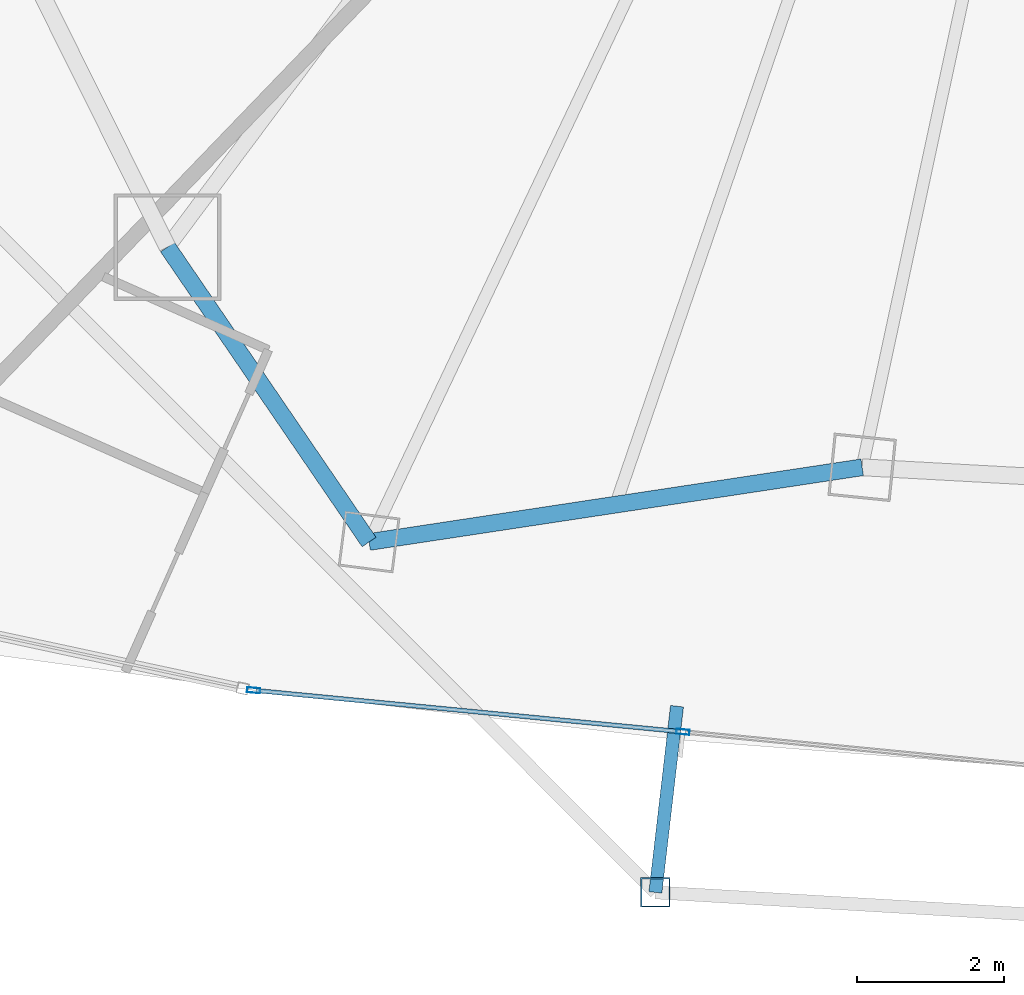
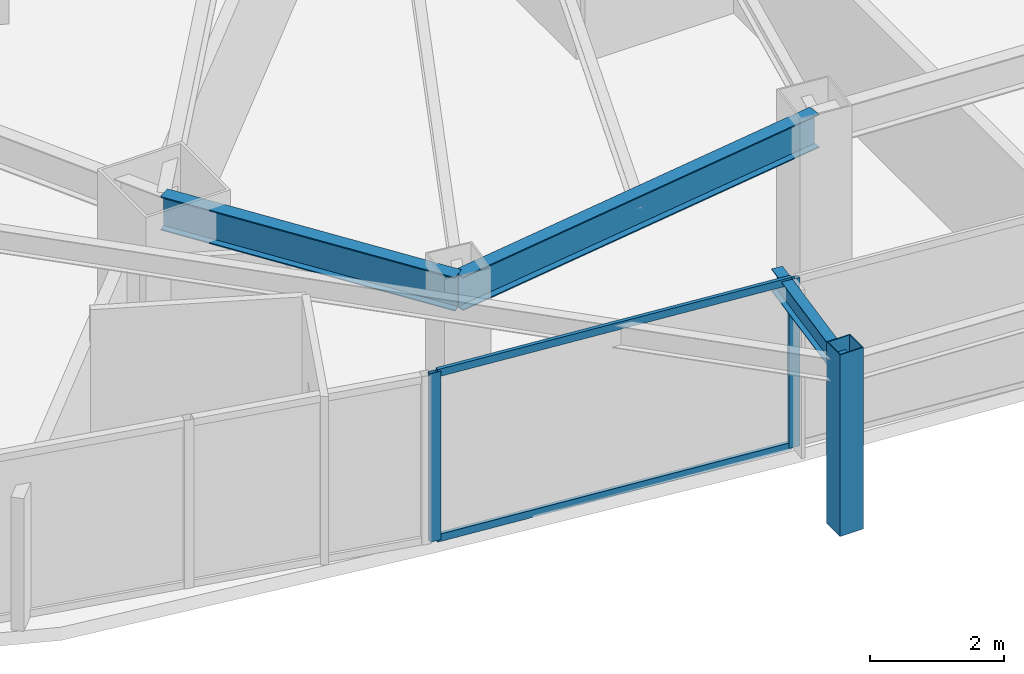
# One storey, part 3 of 31: 5 members, 3 beams, 1 element without a shape of its own.
"""IFC4 building model written with IfcOpenShell, lengths in metres."""

import ifcopenshell
import ifcopenshell.guid

model = None  # the IFC model being written
_history = None  # IfcOwnerHistory: only IFC2X3 demands one
_inside = {}  # id of a spatial element -> (the spatial element, [elements in it])
_under = {}  # id of a project, library or spatial element -> (it, [spatial elements below it])
_declared = {}  # id of a project -> (the project, [libraries it declares])
_typed = {}  # id of a type object -> (the type object, [elements of that type])
_made_of = {}  # id of a material, layer set ... -> (it, [elements and type objects made of it])


def new_model(schema):
    """Start an empty IFC model of exactly this schema.

    Asked for "IFC4X3", IfcOpenShell would pick the latest addendum, in which some entities
    have other attributes; the version numbers below select the first issue.
    IFC2X3 requires an IfcOwnerHistory on every rooted entity: one is made here for all.
    """
    global model, _history
    if schema == "IFC4X3":
        model = ifcopenshell.file(schema_version=(4, 3, 0, 0))
    else:
        model = ifcopenshell.file(schema=schema)
    _inside.clear()
    _under.clear()
    _declared.clear()
    _typed.clear()
    _made_of.clear()
    _history = None
    if model.schema == "IFC2X3":
        org = make("IfcOrganization", Name="unknown")
        user = make(
            "IfcPersonAndOrganization",
            ThePerson=make("IfcPerson", FamilyName="unknown"),
            TheOrganization=org,
        )
        app = make(
            "IfcApplication",
            ApplicationDeveloper=org,
            Version="unknown",
            ApplicationFullName="unknown",
            ApplicationIdentifier="unknown",
        )
        _history = make(
            "IfcOwnerHistory",
            OwningUser=user,
            OwningApplication=app,
            ChangeAction="ADDED",
            CreationDate=0,
        )
    return model


def make(cls, **values):
    """One entity of the class cls with the attributes given. An attribute that is None is left unset."""
    return model.create_entity(
        cls, **{name: value for name, value in values.items() if value is not None}
    )


def rooted(cls, **values):
    """An entity with a GlobalId (a new one), such as an element, a storey or a relation."""
    return make(cls, GlobalId=ifcopenshell.guid.new(), OwnerHistory=_history, **values)


def si_unit(unit_type, name, prefix=None):
    """IfcSIUnit, for example si_unit("LENGTHUNIT", "METRE", prefix="MILLI")."""
    return make("IfcSIUnit", UnitType=unit_type, Prefix=prefix, Name=name)


def assignment(units):
    """IfcUnitAssignment: the units of a project."""
    return None if units is None else make("IfcUnitAssignment", Units=units)


def point(xyz):
    """IfcCartesianPoint."""
    return None if xyz is None else make("IfcCartesianPoint", Coordinates=xyz)


def direction(xyz):
    """IfcDirection."""
    return None if xyz is None else make("IfcDirection", DirectionRatios=xyz)


def frame(location, z_axis=None, x_axis=None):
    """IfcAxis2Placement3D, a coordinate frame: its origin and axes. An axis left out is left unset."""
    return make(
        "IfcAxis2Placement3D",
        Location=point(location),
        Axis=direction(z_axis),
        RefDirection=direction(x_axis),
    )


def frame_2d(location, x_axis=None):
    """IfcAxis2Placement2D, a coordinate frame in the plane: its origin and x axis."""
    return make(
        "IfcAxis2Placement2D", Location=point(location), RefDirection=direction(x_axis)
    )


def origin():
    """The frame at (0, 0, 0) with its axes left unset."""
    return frame((0.0, 0.0, 0.0))


def origin_2d():
    """The frame at (0, 0) in the plane with its x axis left unset."""
    return frame_2d((0.0, 0.0))


def place(relative_to, where):
    """IfcLocalPlacement: puts the frame where relative to a parent placement (None: the world)."""
    return make(
        "IfcLocalPlacement", PlacementRelTo=relative_to, RelativePlacement=where
    )


def context(
    kind, dimensions, precision=None, world=None, true_north=None, identifier=None
):
    """IfcGeometricRepresentationContext, for example the 3D "Model" context."""
    return make(
        "IfcGeometricRepresentationContext",
        ContextIdentifier=identifier,
        ContextType=kind,
        CoordinateSpaceDimension=dimensions,
        Precision=precision,
        WorldCoordinateSystem=world,
        TrueNorth=true_north,
    )


def subcontext(parent, identifier, kind, view, scale=None):
    """IfcGeometricRepresentationSubContext, for example "Body" below "Model"."""
    return make(
        "IfcGeometricRepresentationSubContext",
        ContextIdentifier=identifier,
        ContextType=kind,
        ParentContext=parent,
        TargetScale=scale,
        TargetView=view,
    )


def project(units=None, contexts=None):
    """IfcProject with its units and contexts."""
    return rooted(
        "IfcProject",
        Name="project",
        RepresentationContexts=contexts,
        UnitsInContext=assignment(units),
    )


def spatial(cls, under=None, at=None, **own):
    """A site, building, storey or space (cls), placed at a placement, below another one or the project."""
    s = rooted(cls, ObjectPlacement=at, **own)
    if under is not None:
        _under.setdefault(under.id(), (under, []))[1].append(s)
    return s


def profile(cls, at=None, kind="AREA", **sizes):
    """A parametric profile (cls). Its sizes go by their IFC names, for example OverallWidth=200.0."""
    return make(cls, ProfileType=kind, Position=at, **sizes)


def hollow_rectangle(**sizes):
    """IfcRectangleHollowProfileDef."""
    return profile("IfcRectangleHollowProfileDef", **sizes)


def i_section(**sizes):
    """IfcIShapeProfileDef."""
    return profile("IfcIShapeProfileDef", **sizes)


def extrude(swept, where, along, depth):
    """IfcExtrudedAreaSolid: the profile swept, set in the frame where, extruded along a direction by depth."""
    return make(
        "IfcExtrudedAreaSolid",
        SweptArea=swept,
        Position=where,
        ExtrudedDirection=direction(along),
        Depth=depth,
    )


def shape(context_of_items, identifier, shape_type, items):
    """IfcShapeRepresentation: the items that make up one representation, for example the "Body"."""
    return make(
        "IfcShapeRepresentation",
        ContextOfItems=context_of_items,
        RepresentationIdentifier=identifier,
        RepresentationType=shape_type,
        Items=items,
    )


def material(Name=None, Category=None):
    """IfcMaterial."""
    return make("IfcMaterial", Name=Name, Category=Category)


def layer(
    of_material, thickness, ventilated=None, Name=None, Category=None, Priority=None
):
    """IfcMaterialLayer: one layer of a wall or slab, of a material (None: an air gap)."""
    return make(
        "IfcMaterialLayer",
        Material=of_material,
        LayerThickness=thickness,
        IsVentilated=ventilated,
        Name=Name,
        Category=Category,
        Priority=Priority,
    )


def layer_set(layers, Name=None):
    """IfcMaterialLayerSet."""
    return make("IfcMaterialLayerSet", MaterialLayers=layers, LayerSetName=Name)


def material_profile(
    of_material, cross_section, Name=None, Category=None, Priority=None
):
    """IfcMaterialProfile: a cross section and its material."""
    return make(
        "IfcMaterialProfile",
        Name=Name,
        Material=of_material,
        Profile=cross_section,
        Priority=Priority,
        Category=Category,
    )


def profile_set(profiles, Name=None, composite=None):
    """IfcMaterialProfileSet."""
    return make(
        "IfcMaterialProfileSet",
        Name=Name,
        MaterialProfiles=profiles,
        CompositeProfile=composite,
    )


def made_of(thing, what):
    """Note that an element or type object is made of a material, layer set ...; save() writes the relation."""
    if what is not None:
        _made_of.setdefault(what.id(), (what, []))[1].append(thing)
    return thing


def type_object(cls, material=None, **own):
    """A type object (cls), such as IfcWallType, which elements share."""
    return made_of(rooted(cls, **own), material)


def element(
    cls,
    number,
    at=None,
    inside=None,
    cuts=None,
    type_object=None,
    material=None,
    context=None,
    identifier="Body",
    shape_type=None,
    held_by="IfcProductDefinitionShape",
    body=None,
    shapes=None,
    **own,
):
    """One element of the class cls, such as IfcWall. Its Tag is "e" and its number.

    at: its placement. inside: the storey or other place that contains it. cuts: it is an
    opening in that element (IfcRelVoidsElement). A single representation is given by context,
    identifier, shape_type and body (its items); several are given by shapes. held_by: the class
    of the entity that holds the representations. save() writes the other relations.
    """
    e = rooted(cls, Tag="e%d" % number, ObjectPlacement=at, **own)
    if body is not None:
        shapes = [shape(context, identifier, shape_type, body)]
    if shapes is not None:
        e.Representation = make(held_by, Representations=shapes)
    if inside is not None:
        _inside.setdefault(inside.id(), (inside, []))[1].append(e)
    if cuts is not None:
        rooted(
            "IfcRelVoidsElement", RelatingBuildingElement=cuts, RelatedOpeningElement=e
        )
    if type_object is not None:
        _typed.setdefault(type_object.id(), (type_object, []))[1].append(e)
    return made_of(e, material)


def aggregate(whole, parts):
    """IfcRelAggregates: a whole, such as a stair, and the parts it consists of."""
    return rooted("IfcRelAggregates", RelatingObject=whole, RelatedObjects=parts)


def save(model, path):
    """Write the relations noted so far, then the file.

    IfcRelAggregates (storeys below a building ...), IfcRelContainedInSpatialStructure (elements
    in a storey), IfcRelDefinesByType, IfcRelAssociatesMaterial and IfcRelDeclares: one each for
    every whole, place, type object, material and project.
    """
    for whole, parts in _under.values():
        aggregate(whole, parts)
    for where, things in _inside.values():
        rooted(
            "IfcRelContainedInSpatialStructure",
            RelatedElements=things,
            RelatingStructure=where,
        )
    for kind, things in _typed.values():
        rooted("IfcRelDefinesByType", RelatedObjects=things, RelatingType=kind)
    for what, things in _made_of.values():
        rooted("IfcRelAssociatesMaterial", RelatedObjects=things, RelatingMaterial=what)
    for by, libraries in _declared.values():
        rooted("IfcRelDeclares", RelatingContext=by, RelatedDefinitions=libraries)
    model.write(path)


model = new_model("IFC4")

# Units and contexts
model_context = context("Model", 3, precision=1e-05, world=origin(), true_north=direction((0.0, 1.0)))
body_context = subcontext(model_context, "Body", "Model", "MODEL_VIEW")
ifc_project = project(units=[si_unit("LENGTHUNIT", "METRE"), si_unit("AREAUNIT", "SQUARE_METRE"), si_unit("VOLUMEUNIT", "CUBIC_METRE"), si_unit("PLANEANGLEUNIT", "RADIAN"), si_unit("MASSUNIT", "GRAM", prefix="KILO")], contexts=[model_context])

# Site, building, storey
site_placement = place(None, origin())
site = spatial("IfcSite", under=ifc_project, at=site_placement, CompositionType="ELEMENT")
building_placement = place(site_placement, origin())
building = spatial("IfcBuilding", under=site, at=building_placement, Name="Orvanel Arch Residences", CompositionType="ELEMENT")
storey_placement = place(building_placement, frame((0.0, 0.0, 129.800048828125)))
storey = spatial("IfcBuildingStorey", under=building, at=storey_placement, Name="L36", CompositionType="ELEMENT", Elevation=129.800048828125)

# Curtain wall, members
ifc_material_1 = material(Name="Bronze-anodised aluminium AA6063-T6", Category="aluminium")
ifc_layer = layer(ifc_material_1, 0.179931640625)
ifc_layer_set = layer_set([ifc_layer], Name="Bronze-anodised aluminium AA6063-T6")
curtain_wall_type = type_object("IfcCurtainWallType", Name="CW3-MID-SYS", PredefinedType="NOTDEFINED", material=ifc_layer_set)
curtain_wall_placement = place(storey_placement, origin())
curtain_wall = element("IfcCurtainWall", 1, at=curtain_wall_placement, inside=storey, type_object=curtain_wall_type, Name="L36 CW3-MID-SYS Unitised Curtain Wall", PredefinedType="NOTDEFINED")
ifc_material_profile_1 = material_profile(ifc_material_1, hollow_rectangle(XDim=0.070068359375, YDim=0.179931640625, WallThickness=0.00439453125, at=origin_2d()), Name="ALU180x70x4.5")
ifc_profile_set_1 = profile_set([ifc_material_profile_1], Name="Bronze-anodised aluminium AA6063-T6")
member_type_1 = type_object("IfcMemberType", Name="MUL-180x70", PredefinedType="MULLION", material=ifc_profile_set_1)
member_1_placement = place(storey_placement, frame((15.370849609375, 4.321533203125, 0.0), z_axis=(0.0, 0.0, 1.0), x_axis=(0.096408125648, 0.995341887649, 0.0)))
member_1 = element("IfcMember", 2, at=member_1_placement, type_object=member_type_1, Name="CW-S3 mullion 1", PredefinedType="MULLION", context=body_context, shape_type="SweptSolid", body=[
    extrude(hollow_rectangle(XDim=0.070068359375, YDim=0.179931640625, WallThickness=0.00439453125, at=origin_2d()), origin(), (0.0, 0.0, 1.0), 3.06005859375),
])
member_2_placement = place(storey_placement, frame((21.21044921875, 3.756103515625, 0.0), z_axis=(0.0, 0.0, 1.0), x_axis=(0.096408125648, 0.995341887649, 0.0)))
member_2 = element("IfcMember", 3, at=member_2_placement, type_object=member_type_1, Name="CW-S3 mullion 2", PredefinedType="MULLION", context=body_context, shape_type="SweptSolid", body=[
    extrude(hollow_rectangle(XDim=0.070068359375, YDim=0.179931640625, WallThickness=0.00439453125, at=origin_2d()), origin(), (0.0, 0.0, 1.0), 3.06005859375),
])

# Beams
ifc_material_2 = material(Name="Structural steel AS/NZS 3679.1 Grade 300 (300 MPa)", Category="steel")
ifc_material_profile_2 = material_profile(ifc_material_2, i_section(OverallWidth=0.177978515625, OverallDepth=0.406005859375, WebThickness=0.0078125, FlangeThickness=0.0126953125, at=origin_2d()), Name="410UB59.7")
ifc_profile_set_2 = profile_set([ifc_material_profile_2], Name="Structural steel AS/NZS 3679.1 Grade 300 (300 MPa)")
beam_type_1 = type_object("IfcBeamType", Name="OB-410UB-EXT", PredefinedType="SPANDREL", material=ifc_profile_set_2)
beam_1_placement = place(storey_placement, frame((21.1298828125, 4.10498046875, 2.85693359375), z_axis=(-0.115274576755, -0.993333665972, 0.0), x_axis=(0.993333665972, -0.115274576755, 0.0)))
element("IfcBeam", 4, at=beam_1_placement, inside=storey, type_object=beam_type_1, Name="L36 Outer Frame Radial Tie Beam 05", PredefinedType="SPANDREL", context=body_context, shape_type="SweptSolid", body=[
    extrude(i_section(OverallWidth=0.177978515625, OverallDepth=0.406005859375, WebThickness=0.0078125, FlangeThickness=0.0126953125, at=origin_2d()), origin(), (0.0, 0.0, 1.0), 2.550048828125),
])
ifc_material_profile_3 = material_profile(ifc_material_2, i_section(OverallWidth=0.22900390625, OverallDepth=0.612060546875, WebThickness=0.011962890625, FlangeThickness=0.01953125, at=origin_2d()), Name="610UB125")
ifc_profile_set_3 = profile_set([ifc_material_profile_3], Name="Structural steel AS/NZS 3679.1 Grade 300 (300 MPa)")
beam_type_2 = type_object("IfcBeamType", Name="SP-610UB", PredefinedType="SPANDREL", material=ifc_profile_set_3)
beam_2_placement = place(storey_placement, frame((14.198974609375, 10.35107421875, 2.75390625), z_axis=(0.564251579852, -0.825602903722, 0.0), x_axis=(0.825602903722, 0.564251579852, 0.0)))
element("IfcBeam", 5, at=beam_2_placement, inside=storey, type_object=beam_type_2, Name="L36 Perimeter Spandrel Beam 03", PredefinedType="SPANDREL", context=body_context, shape_type="SweptSolid", body=[
    extrude(i_section(OverallWidth=0.22900390625, OverallDepth=0.612060546875, WebThickness=0.011962890625, FlangeThickness=0.01953125, at=origin_2d()), origin(), (0.0, 0.0, 1.0), 4.859375),
])
beam_3_placement = place(storey_placement, frame((16.94091796875, 6.339111328125, 2.75390625), z_axis=(0.988726323014, 0.149733958002, 0.0), x_axis=(-0.149733958002, 0.988726323014, 0.0)))
element("IfcBeam", 6, at=beam_3_placement, inside=storey, type_object=beam_type_2, Name="L36 Perimeter Spandrel Beam 04", PredefinedType="SPANDREL", context=body_context, shape_type="SweptSolid", body=[
    extrude(i_section(OverallWidth=0.22900390625, OverallDepth=0.612060546875, WebThickness=0.011962890625, FlangeThickness=0.01953125, at=origin_2d()), origin(), (0.0, 0.0, 1.0), 6.784423828125),
])

# Member
ifc_material_3 = material(Name="Structural steel AS/NZS 1163 C450L0 (Grade 450)", Category="steel")
ifc_material_profile_4 = material_profile(ifc_material_3, hollow_rectangle(XDim=0.39990234375, YDim=0.39990234375, WallThickness=0.01611328125, at=origin_2d()), Name="SHS400x400x16")
ifc_profile_set_4 = profile_set([ifc_material_profile_4], Name="Structural steel AS/NZS 1163 C450L0 (Grade 450)")
member_type_2 = type_object("IfcMemberType", Name="ST-400SHS-EXT", PredefinedType="STRUT", material=ifc_profile_set_4)
member_3_placement = place(storey_placement, frame((20.8359375, 1.572021484375, 0.0), z_axis=(0.0, 0.0, 1.0), x_axis=(1.0, 0.0, 0.0)))
element("IfcMember", 7, at=member_3_placement, inside=storey, type_object=member_type_2, Name="L36 Outer Perimeter Frame Post 05", PredefinedType="STRUT", context=body_context, shape_type="SweptSolid", body=[
    extrude(hollow_rectangle(XDim=0.39990234375, YDim=0.39990234375, WallThickness=0.01611328125, at=origin_2d()), origin(), (0.0, 0.0, 1.0), 3.300048828125),
])

ifc_material_profile_5 = material_profile(ifc_material_1, hollow_rectangle(XDim=0.06005859375, YDim=0.135009765625, WallThickness=0.00390625, at=origin_2d()), Name="ALU135x60x4")
ifc_profile_set_5 = profile_set([ifc_material_profile_5], Name="Bronze-anodised aluminium AA6063-T6")
member_type_3 = type_object("IfcMemberType", Name="TRN-135x60", PredefinedType="USERDEFINED", material=ifc_profile_set_5)
member_4_placement = place(storey_placement, frame((15.40576171875, 4.318359375, 0.030029296875), z_axis=(0.995338544366, -0.096442636312, 0.0), x_axis=(0.096442636312, 0.995338544366, 0.0)))
member_4 = element("IfcMember", 8, at=member_4_placement, type_object=member_type_3, Name="CW-S3 transom 1.1", ObjectType="TRANSOM", PredefinedType="USERDEFINED", context=body_context, shape_type="SweptSolid", body=[
    extrude(hollow_rectangle(XDim=0.06005859375, YDim=0.135009765625, WallThickness=0.00390625, at=origin_2d()), origin(), (0.0, 0.0, 1.0), 5.797119140625),
])

member_5_placement = place(storey_placement, frame((15.40576171875, 4.318359375, 3.030029296875), z_axis=(0.995338544366, -0.096442636312, 0.0), x_axis=(0.096442636312, 0.995338544366, 0.0)))
member_5 = element("IfcMember", 9, at=member_5_placement, type_object=member_type_3, Name="CW-S3 transom 1.2", ObjectType="TRANSOM", PredefinedType="USERDEFINED", context=body_context, shape_type="SweptSolid", body=[
    extrude(hollow_rectangle(XDim=0.06005859375, YDim=0.135009765625, WallThickness=0.00390625, at=origin_2d()), origin(), (0.0, 0.0, 1.0), 5.797119140625),
])

aggregate(curtain_wall, [member_1, member_2, member_4, member_5])

save(model, "model.ifc")
